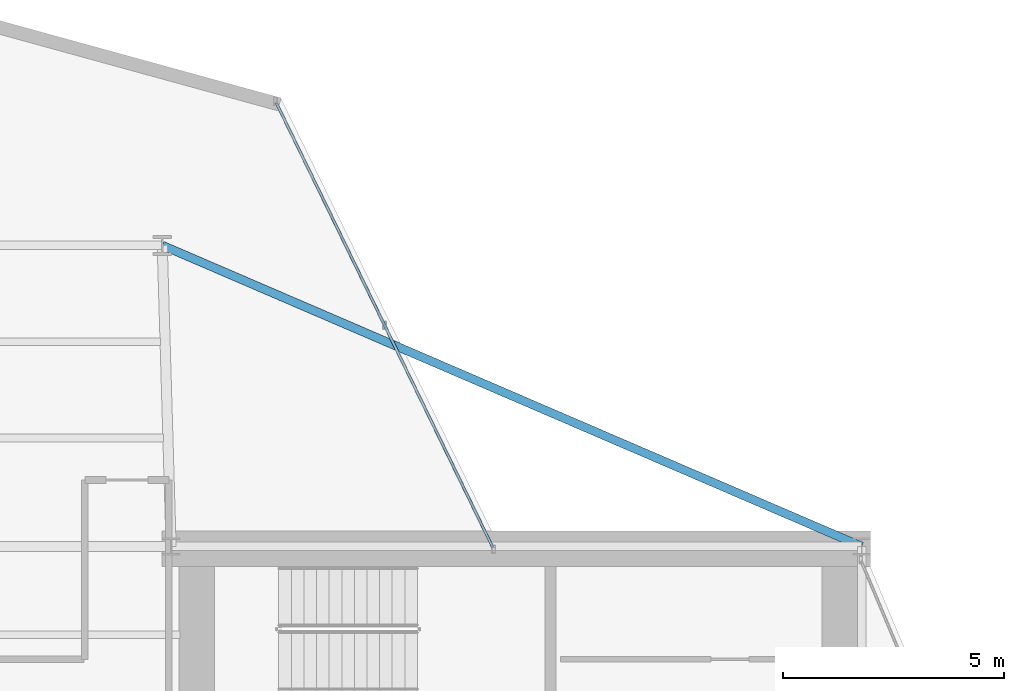
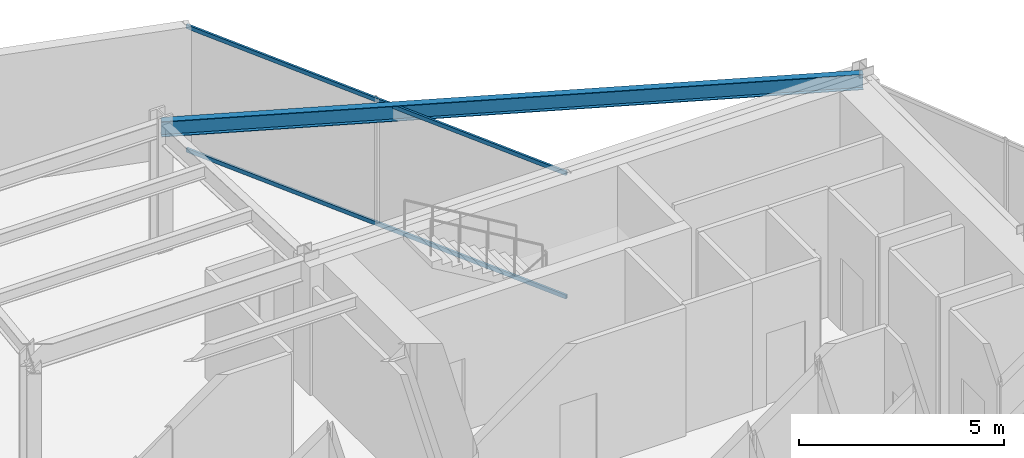
# One storey, part 16 of 25: 2 members, 1 beam, 1 element without a shape of its own.
"""IFC4 building model written with IfcOpenShell, lengths in metres."""

from ifc_helpers import new_model, si_unit, direction, frame, origin, origin_2d, place, context, subcontext, project, spatial, hollow_rectangle, i_section, extrude, material, layer, layer_set, material_profile, profile_set, type_object, element, aggregate, save


model = new_model("IFC4")

# Units and contexts
model_context = context("Model", 3, precision=1e-05, world=origin(), true_north=direction((0.0, 1.0)))
body_context = subcontext(model_context, "Body", "Model", "MODEL_VIEW")
ifc_project = project(units=[si_unit("LENGTHUNIT", "METRE"), si_unit("AREAUNIT", "SQUARE_METRE"), si_unit("VOLUMEUNIT", "CUBIC_METRE"), si_unit("PLANEANGLEUNIT", "RADIAN"), si_unit("MASSUNIT", "GRAM", prefix="KILO")], contexts=[model_context])

# Site, building, storey
site_placement = place(None, origin())
site = spatial("IfcSite", under=ifc_project, at=site_placement, CompositionType="ELEMENT")
building_placement = place(site_placement, origin())
building = spatial("IfcBuilding", under=site, at=building_placement, Name="Veymaron Broadcast Tower", CompositionType="ELEMENT")
storey_placement = place(building_placement, frame((0.0, 0.0, 120.89990234375)))
storey = spatial("IfcBuildingStorey", under=building, at=storey_placement, Name="L27", CompositionType="ELEMENT", Elevation=120.89990234375)

# Beam
ifc_material_1 = material(Name="Structural steel ASTM A992 Gr 50", Category="steel")
ifc_material_profile_1 = material_profile(ifc_material_1, i_section(OverallWidth=0.19091796875, OverallDepth=0.4599609375, WebThickness=0.010009765625, FlangeThickness=0.01611328125, at=origin_2d()), Name="W460X82")
ifc_profile_set_1 = profile_set([ifc_material_profile_1], Name="Structural steel ASTM A992 Gr 50")
beam_type = type_object("IfcBeamType", Name="BM-SP1", PredefinedType="SPANDREL", material=ifc_profile_set_1)
beam_placement = place(storey_placement, frame((54.60009765625, 32.0, 3.580078125), z_axis=(-0.918541968862, 0.395323476964, 0.0), x_axis=(-0.395323476964, -0.918541968862, 0.0)))
element("IfcBeam", 1, at=beam_placement, inside=storey, type_object=beam_type, Name="L27 primary structural floor girder", PredefinedType="SPANDREL", context=body_context, shape_type="SweptSolid", body=[
    extrude(i_section(OverallWidth=0.19091796875, OverallDepth=0.4599609375, WebThickness=0.010009765625, FlangeThickness=0.01611328125, at=origin_2d()), origin(), (0.0, 0.0, 1.0), 17.201171875),
])

# Curtain wall, members
ifc_material_2 = material(Name="Anodised aluminium AA 6063-T6 and laminated low-E dark glass", Category="aluminium")
ifc_layer = layer(ifc_material_2, 0.179931640625)
ifc_layer_set = layer_set([ifc_layer], Name="Anodised aluminium AA 6063-T6 and laminated low-E dark glass")
curtain_wall_type = type_object("IfcCurtainWallType", Name="CW-SYS-03", PredefinedType="NOTDEFINED", material=ifc_layer_set)
curtain_wall_placement = place(storey_placement, origin())
curtain_wall = element("IfcCurtainWall", 2, at=curtain_wall_placement, inside=storey, type_object=curtain_wall_type, Name="L27 dark-glass curtain wall CW-L27-E5-1", PredefinedType="NOTDEFINED")
ifc_material_3 = material(Name="Anodised aluminium AA 6063-T6", Category="aluminium")
ifc_material_profile_2 = material_profile(ifc_material_3, hollow_rectangle(XDim=0.06005859375, YDim=0.1201171875, WallThickness=0.00390625, at=origin_2d()), Name="AL120X60X4")
ifc_profile_set_2 = profile_set([ifc_material_profile_2], Name="Anodised aluminium AA 6063-T6")
member_type = type_object("IfcMemberType", Name="CW-TRN-02", PredefinedType="USERDEFINED", material=ifc_profile_set_2)
member_1_placement = place(storey_placement, frame((46.2626953125, 31.983642578125, 0.070068359375), z_axis=(-0.43783155642, 0.899057021663, 0.0), x_axis=(-0.899057021663, -0.43783155642, 0.0)))
member_1 = element("IfcMember", 3, at=member_1_placement, type_object=member_type, Name="CW-L27-E5-1 transom B", ObjectType="TRANSOM", PredefinedType="USERDEFINED", context=body_context, shape_type="SweptSolid", body=[
    extrude(hollow_rectangle(XDim=0.06005859375, YDim=0.1201171875, WallThickness=0.00390625, at=origin_2d()), origin(), (0.0, 0.0, 1.0), 11.15625),
])
member_2_placement = place(storey_placement, frame((46.2626953125, 31.983642578125, 3.739990234375), z_axis=(-0.43783155642, 0.899057021663, 0.0), x_axis=(-0.899057021663, -0.43783155642, 0.0)))
member_2 = element("IfcMember", 4, at=member_2_placement, type_object=member_type, Name="CW-L27-E5-1 transom T", ObjectType="TRANSOM", PredefinedType="USERDEFINED", context=body_context, shape_type="SweptSolid", body=[
    extrude(hollow_rectangle(XDim=0.06005859375, YDim=0.1201171875, WallThickness=0.00390625, at=origin_2d()), origin(), (0.0, 0.0, 1.0), 11.15625),
])
aggregate(curtain_wall, [member_1, member_2])

save(model, "model.ifc")
